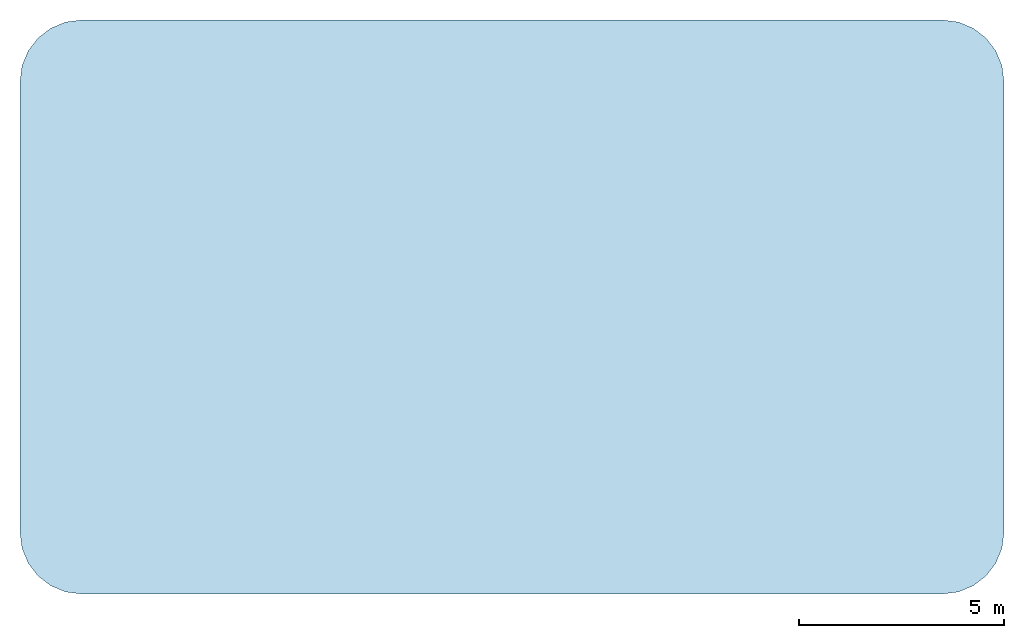
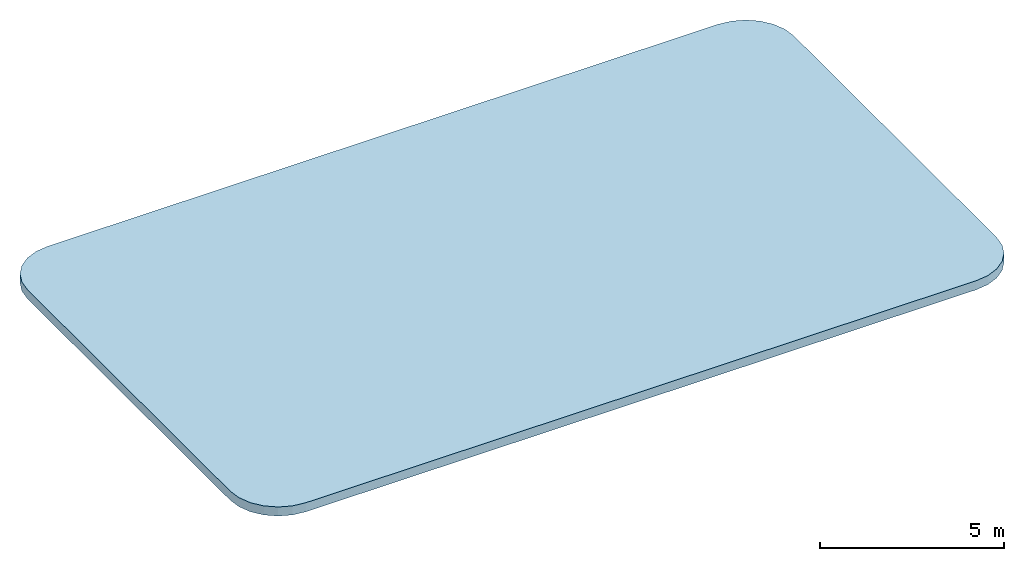
# One storey: 1 slab.
"""IFC4 building model written with IfcOpenShell, lengths in metres."""

from ifc_helpers import new_model, si_unit, direction, frame, origin, place, context, subcontext, project, spatial, polyline, outline, extrude, material, layer, layer_set, type_object, element, save


model = new_model("IFC4")

# Units and contexts
model_context = context("Model", 3, precision=1e-05, world=origin(), true_north=direction((0.0, 1.0)))
body_context = subcontext(model_context, "Body", "Model", "MODEL_VIEW")
ifc_project = project(units=[si_unit("LENGTHUNIT", "METRE"), si_unit("AREAUNIT", "SQUARE_METRE"), si_unit("VOLUMEUNIT", "CUBIC_METRE"), si_unit("PLANEANGLEUNIT", "RADIAN"), si_unit("MASSUNIT", "GRAM", prefix="KILO")], contexts=[model_context])

# Site, building, storey
site_placement = place(None, origin())
site = spatial("IfcSite", under=ifc_project, at=site_placement, CompositionType="ELEMENT")
building_placement = place(site_placement, origin())
building = spatial("IfcBuilding", under=site, at=building_placement, Name="Sahrelin Media Tower", CompositionType="ELEMENT")
storey_placement = place(building_placement, frame((0.0, 0.0, 341.10009765625)))
storey = spatial("IfcBuildingStorey", under=building, at=storey_placement, Name="Roof core head", CompositionType="ELEMENT", Elevation=341.10009765625)

# Slab
ifc_material = material(Name="Concrete C40/50", Category="concrete")
ifc_layer = layer(ifc_material, 0.300048828125)
ifc_layer_set = layer_set([ifc_layer], Name="Core head roof slab 300")
slab_type = type_object("IfcSlabType", Name="Core head roof slab 300", PredefinedType="ROOF", material=ifc_layer_set)
slab_placement = place(storey_placement, origin())
element("IfcSlab", 1, at=slab_placement, inside=storey, type_object=slab_type, Name="Core head roof slab", PredefinedType="ROOF", context=body_context, shape_type="SweptSolid", body=[
    extrude(outline(polyline([(12.0, 5.5), (11.948974609375, 5.88818359375), (11.799072265625, 6.25), (11.560791015625, 6.560791015625), (11.25, 6.799072265625), (10.88818359375, 6.948974609375), (10.5, 7.0), (-10.5, 7.0), (-10.88818359375, 6.948974609375), (-11.25, 6.799072265625), (-11.560791015625, 6.560791015625), (-11.799072265625, 6.25), (-11.948974609375, 5.88818359375), (-12.0, 5.5), (-12.0, -5.5), (-11.948974609375, -5.88818359375), (-11.799072265625, -6.25), (-11.560791015625, -6.560791015625), (-11.25, -6.799072265625), (-10.88818359375, -6.948974609375), (-10.5, -7.0), (10.5, -7.0), (10.88818359375, -6.948974609375), (11.25, -6.799072265625), (11.560791015625, -6.560791015625), (11.799072265625, -6.25), (11.948974609375, -5.88818359375), (12.0, -5.5), (12.0, 5.5)])), origin(), (0.0, 0.0, 1.0), 0.2998046875),
])

save(model, "model.ifc")
